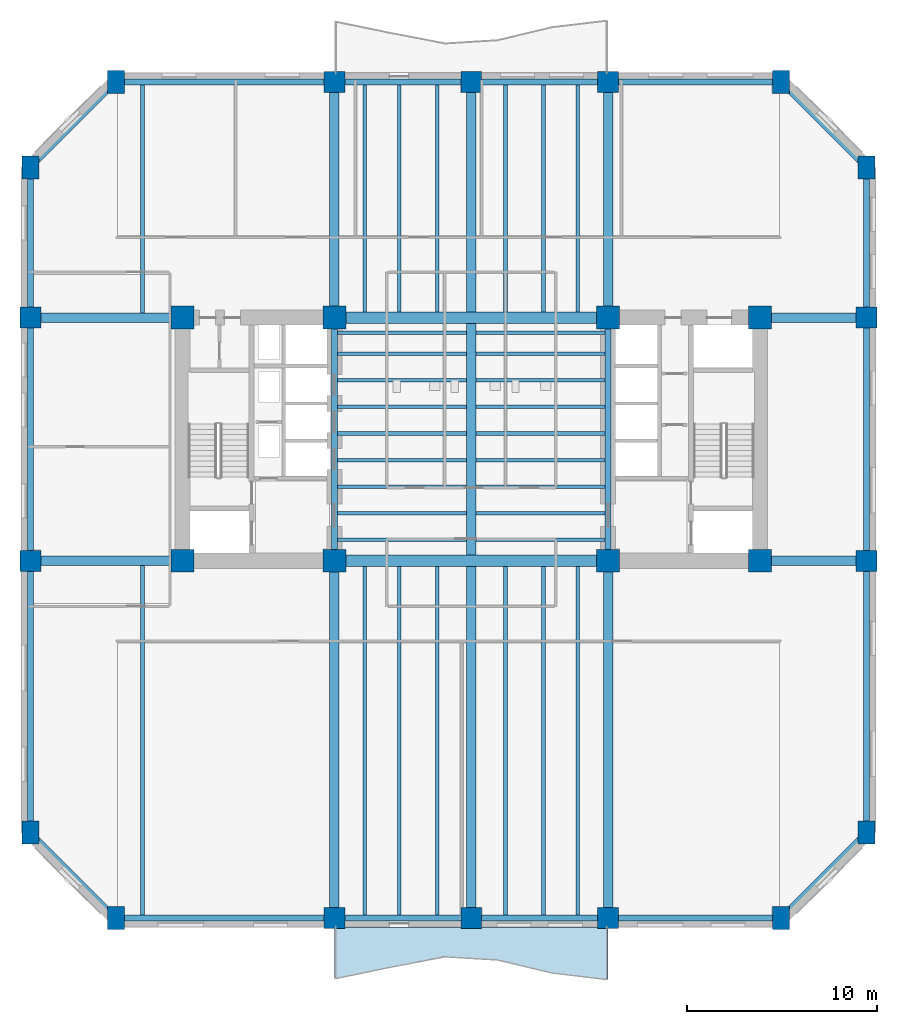
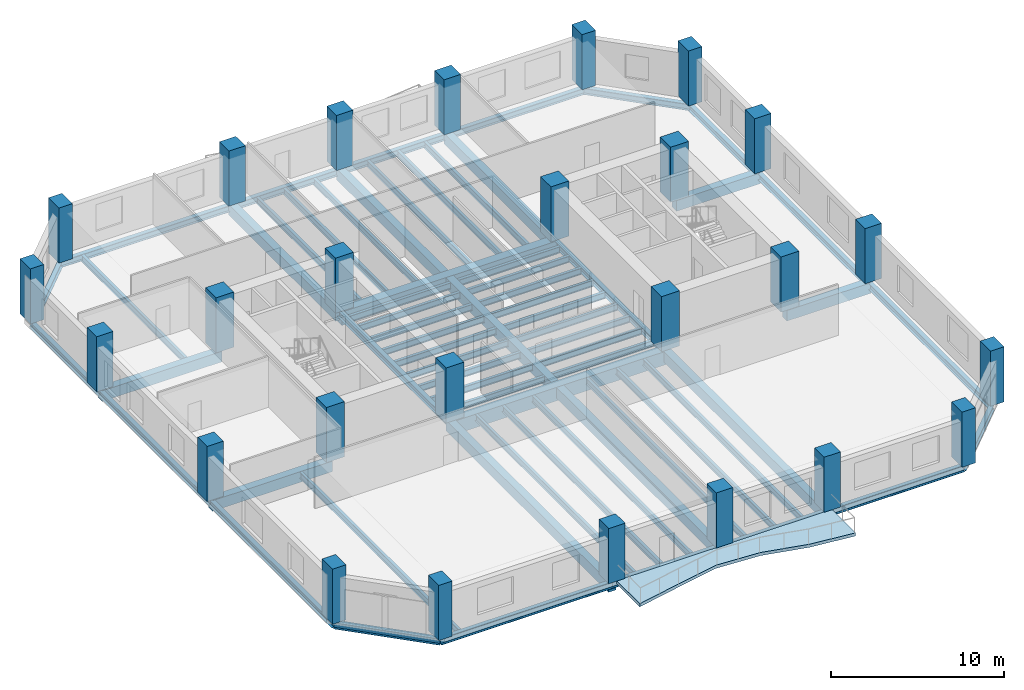
# One storey, part 1 of 10: 65 beams, 26 columns, 1 slab.
"""IFC4 building model written with IfcOpenShell, lengths in metres."""

from ifc_helpers import new_model, si_unit, direction, frame, origin, origin_2d, place, context, subcontext, project, spatial, polyline, rectangle, i_section, outline, extrude, material, layer, layer_set, material_profile, profile_set, type_object, element, save


model = new_model("IFC4")

# Units and contexts
model_context = context("Model", 3, precision=1e-05, world=origin(), true_north=direction((0.0, 1.0)))
body_context = subcontext(model_context, "Body", "Model", "MODEL_VIEW")
ifc_project = project(units=[si_unit("LENGTHUNIT", "METRE"), si_unit("AREAUNIT", "SQUARE_METRE"), si_unit("VOLUMEUNIT", "CUBIC_METRE"), si_unit("PLANEANGLEUNIT", "RADIAN"), si_unit("MASSUNIT", "GRAM", prefix="KILO")], contexts=[model_context])

# Site, building, storey
site_placement = place(None, origin())
site = spatial("IfcSite", under=ifc_project, at=site_placement, CompositionType="ELEMENT")
building_placement = place(site_placement, origin())
building = spatial("IfcBuilding", under=site, at=building_placement, Name="Kranthara Brick Stack", CompositionType="ELEMENT")
storey_placement = place(building_placement, frame((0.0, 0.0, 32.10009765625)))
storey = spatial("IfcBuildingStorey", under=building, at=storey_placement, Name="L07", CompositionType="ELEMENT", Elevation=32.10009765625)

# Columns
ifc_material_1 = material(Name="Concrete C70/85", Category="concrete")
ifc_material_profile_1 = material_profile(ifc_material_1, rectangle(XDim=0.89990234375, YDim=1.199951171875, at=origin_2d()), Name="RC 900x1200")
ifc_profile_set_1 = profile_set([ifc_material_profile_1], Name="Concrete C70/85")
column_type_1 = type_object("IfcColumnType", Name="COL-CHAM-900x1200", PredefinedType="COLUMN", material=ifc_profile_set_1)
for number, where, z_axis, x_axis, name in (
    (1, (9.300048828125, 2.0, 0.0), (0.0, 0.0, 1.0), (1.0, 0.0, 0.0), "L07 Column 09"),
    (2, (9.300048828125, 46.0, 0.0), (0.0, 0.0, 1.0), (1.0, 0.0, 0.0), "L07 Column 10"),
    (3, (44.300048828125, 2.0, 0.0), (0.0, 0.0, 1.0), (1.0, 0.0, 0.0), "L07 Column 17"),
    (4, (44.300048828125, 46.0, 0.0), (0.0, 0.0, 1.0), (1.0, 0.0, 0.0), "L07 Column 18"),
    (5, (4.800048828125, 6.5, 0.0), (0.0, 0.0, 1.0), (1.0, 0.0, 0.0), "L07 Column 19"),
    (6, (48.800048828125, 6.5, 0.0), (0.0, 0.0, 1.0), (1.0, 0.0, 0.0), "L07 Column 20"),
    (7, (4.800048828125, 41.5, 0.0), (0.0, 0.0, 1.0), (1.0, 0.0, 0.0), "L07 Column 25"),
    (8, (48.800048828125, 41.5, 0.0), (0.0, 0.0, 1.0), (1.0, 0.0, 0.0), "L07 Column 26"),
):
    element("IfcColumn", number, at=place(storey_placement, frame(where, z_axis=z_axis, x_axis=x_axis)), inside=storey, type_object=column_type_1, Name=name, PredefinedType="COLUMN", context=body_context, shape_type="SweptSolid", body=[
        extrude(rectangle(XDim=0.89990234375, YDim=1.199951171875, at=origin_2d()), origin(), (0.0, 0.0, 1.0), 3.89990234375),
    ])
ifc_material_2 = material(Name="Concrete C70/85", Category="concrete")
ifc_material_profile_2 = material_profile(ifc_material_2, rectangle(XDim=1.199951171875, YDim=1.199951171875, at=origin_2d()), Name="RC 1200x1200")
ifc_profile_set_2 = profile_set([ifc_material_profile_2], Name="Concrete C70/85")
column_type_2 = type_object("IfcColumnType", Name="COL-CORE-1200", PredefinedType="COLUMN", material=ifc_profile_set_2)
for number, where, z_axis, x_axis, name in (
    (9, (12.800048828125, 20.800048828125, 0.0), (0.0, 0.0, 1.0), (1.0, 0.0, 0.0), "L07 Column 01"),
    (10, (20.800048828125, 20.800048828125, 0.0), (0.0, 0.0, 1.0), (1.0, 0.0, 0.0), "L07 Column 02"),
    (11, (12.800048828125, 33.60009765625, 0.0), (0.0, 0.0, 1.0), (1.0, 0.0, 0.0), "L07 Column 03"),
    (12, (20.800048828125, 33.60009765625, 0.0), (0.0, 0.0, 1.0), (1.0, 0.0, 0.0), "L07 Column 04"),
    (13, (35.199951171875, 20.800048828125, 0.0), (0.0, 0.0, 1.0), (1.0, 0.0, 0.0), "L07 Column 05"),
    (14, (43.199951171875, 20.800048828125, 0.0), (0.0, 0.0, 1.0), (1.0, 0.0, 0.0), "L07 Column 06"),
    (15, (35.199951171875, 33.60009765625, 0.0), (0.0, 0.0, 1.0), (1.0, 0.0, 0.0), "L07 Column 07"),
    (16, (43.199951171875, 33.60009765625, 0.0), (0.0, 0.0, 1.0), (1.0, 0.0, 0.0), "L07 Column 08"),
):
    element("IfcColumn", number, at=place(storey_placement, frame(where, z_axis=z_axis, x_axis=x_axis)), inside=storey, type_object=column_type_2, Name=name, PredefinedType="COLUMN", context=body_context, shape_type="SweptSolid", body=[
        extrude(rectangle(XDim=1.199951171875, YDim=1.199951171875, at=origin_2d()), origin(), (0.0, 0.0, 1.0), 3.89990234375),
    ])
ifc_material_3 = material(Name="Concrete C70/85", Category="concrete")
ifc_material_profile_3 = material_profile(ifc_material_3, rectangle(XDim=1.10009765625, YDim=1.10009765625, at=origin_2d()), Name="RC 1100x1100")
ifc_profile_set_3 = profile_set([ifc_material_profile_3], Name="Concrete C70/85")
column_type_3 = type_object("IfcColumnType", Name="COL-PER-1100", PredefinedType="COLUMN", material=ifc_profile_set_3)
for number, where, z_axis, x_axis, name in (
    (17, (20.800048828125, 2.0, 0.0), (0.0, 0.0, 1.0), (1.0, 0.0, 0.0), "L07 Column 11"),
    (18, (20.800048828125, 46.0, 0.0), (0.0, 0.0, 1.0), (1.0, 0.0, 0.0), "L07 Column 12"),
    (19, (28.0, 2.0, 0.0), (0.0, 0.0, 1.0), (1.0, 0.0, 0.0), "L07 Column 13"),
    (20, (28.0, 46.0, 0.0), (0.0, 0.0, 1.0), (1.0, 0.0, 0.0), "L07 Column 14"),
    (21, (35.199951171875, 2.0, 0.0), (0.0, 0.0, 1.0), (1.0, 0.0, 0.0), "L07 Column 15"),
    (22, (35.199951171875, 46.0, 0.0), (0.0, 0.0, 1.0), (1.0, 0.0, 0.0), "L07 Column 16"),
    (23, (4.800048828125, 20.800048828125, 0.0), (0.0, 0.0, 1.0), (1.0, 0.0, 0.0), "L07 Column 21"),
    (24, (48.800048828125, 20.800048828125, 0.0), (0.0, 0.0, 1.0), (1.0, 0.0, 0.0), "L07 Column 22"),
    (25, (4.800048828125, 33.60009765625, 0.0), (0.0, 0.0, 1.0), (1.0, 0.0, 0.0), "L07 Column 23"),
    (26, (48.800048828125, 33.60009765625, 0.0), (0.0, 0.0, 1.0), (1.0, 0.0, 0.0), "L07 Column 24"),
):
    element("IfcColumn", number, at=place(storey_placement, frame(where, z_axis=z_axis, x_axis=x_axis)), inside=storey, type_object=column_type_3, Name=name, PredefinedType="COLUMN", context=body_context, shape_type="SweptSolid", body=[
        extrude(rectangle(XDim=1.10009765625, YDim=1.10009765625, at=origin_2d()), origin(), (0.0, 0.0, 1.0), 3.89990234375),
    ])

# Beams
ifc_material_4 = material(Name="Concrete C60/75", Category="concrete")
ifc_material_profile_4 = material_profile(ifc_material_4, rectangle(XDim=0.60009765625, YDim=0.949951171875, at=origin_2d()), Name="RC 600x950")
ifc_profile_set_4 = profile_set([ifc_material_profile_4], Name="Concrete C60/75")
beam_type_1 = type_object("IfcBeamType", Name="BM-CPL-RC950", PredefinedType="LINTEL", material=ifc_profile_set_4)
for number, where, z_axis, x_axis, name in (
    (27, (20.800048828125, 20.800048828125, -0.775146484375), (1.0, 0.0, 0.0), (0.0, 1.0, 0.0), "L07 Core Coupling Beam 001"),
    (28, (20.800048828125, 33.60009765625, -0.775146484375), (1.0, 0.0, 0.0), (0.0, 1.0, 0.0), "L07 Core Coupling Beam 002"),
):
    element("IfcBeam", number, at=place(storey_placement, frame(where, z_axis=z_axis, x_axis=x_axis)), inside=storey, type_object=beam_type_1, Name=name, PredefinedType="LINTEL", context=body_context, shape_type="SweptSolid", body=[
        extrude(rectangle(XDim=0.60009765625, YDim=0.949951171875, at=origin_2d()), origin(), (0.0, 0.0, 1.0), 14.39990234375),
    ])
ifc_material_5 = material(Name="Post-tensioned concrete C45/55", Category="concrete")
ifc_material_profile_5 = material_profile(ifc_material_5, rectangle(XDim=0.5, YDim=0.75, at=origin_2d()), Name="PT 500x750")
ifc_profile_set_5 = profile_set([ifc_material_profile_5], Name="Post-tensioned concrete C45/55")
beam_type_2 = type_object("IfcBeamType", Name="BM-FLR-PT750", PredefinedType="BEAM", material=ifc_profile_set_5)
beam_1_placement = place(storey_placement, frame((20.800048828125, 2.0, -0.675048828125), z_axis=(0.0, 1.0, 0.0), x_axis=(-1.0, 0.0, 0.0)))
element("IfcBeam", 29, at=beam_1_placement, inside=storey, type_object=beam_type_2, Name="L07 Primary Grid Girder 023", PredefinedType="BEAM", context=body_context, shape_type="SweptSolid", body=[
    extrude(rectangle(XDim=0.5, YDim=0.75, at=origin_2d()), origin(), (0.0, 0.0, 1.0), 18.800048828125),
])
beam_2_placement = place(storey_placement, frame((20.800048828125, 33.60009765625, -0.675048828125), z_axis=(0.0, 1.0, 0.0), x_axis=(-1.0, 0.0, 0.0)))
element("IfcBeam", 30, at=beam_2_placement, inside=storey, type_object=beam_type_2, Name="L07 Primary Grid Girder 024", PredefinedType="BEAM", context=body_context, shape_type="SweptSolid", body=[
    extrude(rectangle(XDim=0.5, YDim=0.75, at=origin_2d()), origin(), (0.0, 0.0, 1.0), 12.39990234375),
])
beam_3_placement = place(storey_placement, frame((28.0, 2.0, -0.675048828125), z_axis=(0.0, 1.0, 0.0), x_axis=(-1.0, 0.0, 0.0)))
element("IfcBeam", 31, at=beam_3_placement, inside=storey, type_object=beam_type_2, Name="L07 Primary Grid Girder 025", PredefinedType="BEAM", context=body_context, shape_type="SweptSolid", body=[
    extrude(rectangle(XDim=0.5, YDim=0.75, at=origin_2d()), origin(), (0.0, 0.0, 1.0), 18.5),
])
beam_4_placement = place(storey_placement, frame((28.0, 21.10009765625, -0.675048828125), z_axis=(0.0, 1.0, 0.0), x_axis=(-1.0, 0.0, 0.0)))
element("IfcBeam", 32, at=beam_4_placement, inside=storey, type_object=beam_type_2, Name="L07 Central Spine Girder 026", PredefinedType="BEAM", context=body_context, shape_type="SweptSolid", body=[
    extrude(rectangle(XDim=0.5, YDim=0.75, at=origin_2d()), origin(), (0.0, 0.0, 1.0), 12.199951171875),
])
beam_5_placement = place(storey_placement, frame((28.0, 33.89990234375, -0.675048828125), z_axis=(0.0, 1.0, 0.0), x_axis=(-1.0, 0.0, 0.0)))
element("IfcBeam", 33, at=beam_5_placement, inside=storey, type_object=beam_type_2, Name="L07 Primary Grid Girder 027", PredefinedType="BEAM", context=body_context, shape_type="SweptSolid", body=[
    extrude(rectangle(XDim=0.5, YDim=0.75, at=origin_2d()), origin(), (0.0, 0.0, 1.0), 12.10009765625),
])
beam_6_placement = place(storey_placement, frame((35.199951171875, 2.0, -0.675048828125), z_axis=(0.0, 1.0, 0.0), x_axis=(-1.0, 0.0, 0.0)))
element("IfcBeam", 34, at=beam_6_placement, inside=storey, type_object=beam_type_2, Name="L07 Primary Grid Girder 028", PredefinedType="BEAM", context=body_context, shape_type="SweptSolid", body=[
    extrude(rectangle(XDim=0.5, YDim=0.75, at=origin_2d()), origin(), (0.0, 0.0, 1.0), 18.800048828125),
])
beam_7_placement = place(storey_placement, frame((35.199951171875, 33.60009765625, -0.675048828125), z_axis=(0.0, 1.0, 0.0), x_axis=(-1.0, 0.0, 0.0)))
element("IfcBeam", 35, at=beam_7_placement, inside=storey, type_object=beam_type_2, Name="L07 Primary Grid Girder 029", PredefinedType="BEAM", context=body_context, shape_type="SweptSolid", body=[
    extrude(rectangle(XDim=0.5, YDim=0.75, at=origin_2d()), origin(), (0.0, 0.0, 1.0), 12.39990234375),
])
beam_8_placement = place(storey_placement, frame((4.800048828125, 20.800048828125, -0.675048828125), z_axis=(1.0, 0.0, 0.0), x_axis=(0.0, 1.0, 0.0)))
element("IfcBeam", 36, at=beam_8_placement, inside=storey, type_object=beam_type_2, Name="L07 Primary Grid Girder 030", PredefinedType="BEAM", context=body_context, shape_type="SweptSolid", body=[
    extrude(rectangle(XDim=0.5, YDim=0.75, at=origin_2d()), origin(), (0.0, 0.0, 1.0), 8.0),
])
beam_9_placement = place(storey_placement, frame((43.199951171875, 20.800048828125, -0.675048828125), z_axis=(1.0, 0.0, 0.0), x_axis=(0.0, 1.0, 0.0)))
element("IfcBeam", 37, at=beam_9_placement, inside=storey, type_object=beam_type_2, Name="L07 Primary Grid Girder 031", PredefinedType="BEAM", context=body_context, shape_type="SweptSolid", body=[
    extrude(rectangle(XDim=0.5, YDim=0.75, at=origin_2d()), origin(), (0.0, 0.0, 1.0), 5.60009765625),
])
beam_10_placement = place(storey_placement, frame((4.800048828125, 33.60009765625, -0.675048828125), z_axis=(1.0, 0.0, 0.0), x_axis=(0.0, 1.0, 0.0)))
element("IfcBeam", 38, at=beam_10_placement, inside=storey, type_object=beam_type_2, Name="L07 Primary Grid Girder 032", PredefinedType="BEAM", context=body_context, shape_type="SweptSolid", body=[
    extrude(rectangle(XDim=0.5, YDim=0.75, at=origin_2d()), origin(), (0.0, 0.0, 1.0), 8.0),
])
beam_11_placement = place(storey_placement, frame((43.199951171875, 33.60009765625, -0.675048828125), z_axis=(1.0, 0.0, 0.0), x_axis=(0.0, 1.0, 0.0)))
element("IfcBeam", 39, at=beam_11_placement, inside=storey, type_object=beam_type_2, Name="L07 Primary Grid Girder 033", PredefinedType="BEAM", context=body_context, shape_type="SweptSolid", body=[
    extrude(rectangle(XDim=0.5, YDim=0.75, at=origin_2d()), origin(), (0.0, 0.0, 1.0), 5.60009765625),
])
ifc_material_6 = material(Name="Steel S355", Category="steel")
ifc_material_profile_6 = material_profile(ifc_material_6, i_section(OverallWidth=0.18994140625, OverallDepth=0.449951171875, WebThickness=0.009521484375, FlangeThickness=0.0146484375, at=origin_2d()), Name="IPE 450")
ifc_profile_set_6 = profile_set([ifc_material_profile_6], Name="Steel S355")
beam_type_3 = type_object("IfcBeamType", Name="BM-JST-IPE450", PredefinedType="JOIST", material=ifc_profile_set_6)
for number, where, z_axis, x_axis, name in (
    (40, (20.949951171875, 21.89990234375, -0.525146484375), (1.0, 0.0, 0.0), (0.0, 1.0, 0.0), "L07 Central Floor Joist 034"),
    (41, (28.25, 21.89990234375, -0.525146484375), (1.0, 0.0, 0.0), (0.0, 1.0, 0.0), "L07 Central Floor Joist 035"),
    (42, (20.949951171875, 23.300048828125, -0.525146484375), (1.0, 0.0, 0.0), (0.0, 1.0, 0.0), "L07 Central Floor Joist 036"),
    (43, (28.25, 23.300048828125, -0.525146484375), (1.0, 0.0, 0.0), (0.0, 1.0, 0.0), "L07 Central Floor Joist 037"),
    (44, (20.949951171875, 24.699951171875, -0.525146484375), (1.0, 0.0, 0.0), (0.0, 1.0, 0.0), "L07 Central Floor Joist 038"),
    (45, (28.25, 24.699951171875, -0.525146484375), (1.0, 0.0, 0.0), (0.0, 1.0, 0.0), "L07 Central Floor Joist 039"),
    (46, (20.949951171875, 26.10009765625, -0.525146484375), (1.0, 0.0, 0.0), (0.0, 1.0, 0.0), "L07 Central Floor Joist 040"),
    (47, (28.25, 26.10009765625, -0.525146484375), (1.0, 0.0, 0.0), (0.0, 1.0, 0.0), "L07 Central Floor Joist 041"),
    (48, (20.949951171875, 27.5, -0.525146484375), (1.0, 0.0, 0.0), (0.0, 1.0, 0.0), "L07 Central Floor Joist 042"),
    (49, (28.25, 27.5, -0.525146484375), (1.0, 0.0, 0.0), (0.0, 1.0, 0.0), "L07 Central Floor Joist 043"),
    (50, (20.949951171875, 28.89990234375, -0.525146484375), (1.0, 0.0, 0.0), (0.0, 1.0, 0.0), "L07 Central Floor Joist 044"),
    (51, (28.25, 28.89990234375, -0.525146484375), (1.0, 0.0, 0.0), (0.0, 1.0, 0.0), "L07 Central Floor Joist 045"),
    (52, (20.949951171875, 30.300048828125, -0.525146484375), (1.0, 0.0, 0.0), (0.0, 1.0, 0.0), "L07 Central Floor Joist 046"),
    (53, (28.25, 30.300048828125, -0.525146484375), (1.0, 0.0, 0.0), (0.0, 1.0, 0.0), "L07 Central Floor Joist 047"),
    (54, (20.949951171875, 31.699951171875, -0.525146484375), (1.0, 0.0, 0.0), (0.0, 1.0, 0.0), "L07 Central Floor Joist 048"),
    (55, (28.25, 31.699951171875, -0.525146484375), (1.0, 0.0, 0.0), (0.0, 1.0, 0.0), "L07 Central Floor Joist 049"),
    (56, (20.949951171875, 32.800048828125, -0.525146484375), (1.0, 0.0, 0.0), (0.0, 1.0, 0.0), "L07 Central Floor Joist 050"),
    (57, (28.25, 32.800048828125, -0.525146484375), (1.0, 0.0, 0.0), (0.0, 1.0, 0.0), "L07 Central Floor Joist 051"),
):
    element("IfcBeam", number, at=place(storey_placement, frame(where, z_axis=z_axis, x_axis=x_axis)), inside=storey, type_object=beam_type_3, Name=name, PredefinedType="JOIST", context=body_context, shape_type="SweptSolid", body=[
        extrude(i_section(OverallWidth=0.18994140625, OverallDepth=0.449951171875, WebThickness=0.009521484375, FlangeThickness=0.0146484375, at=origin_2d()), origin(), (0.0, 0.0, 1.0), 6.800048828125),
    ])
beam_12_placement = place(storey_placement, frame((10.699951171875, 2.14990234375, -0.525146484375), z_axis=(0.0, 1.0, 0.0), x_axis=(-1.0, 0.0, 0.0)))
element("IfcBeam", 58, at=beam_12_placement, inside=storey, type_object=beam_type_3, Name="L07 South Wing Floor Joist 052", PredefinedType="JOIST", context=body_context, shape_type="SweptSolid", body=[
    extrude(i_section(OverallWidth=0.18994140625, OverallDepth=0.449951171875, WebThickness=0.009521484375, FlangeThickness=0.0146484375, at=origin_2d()), origin(), (0.0, 0.0, 1.0), 18.400146484375),
])
beam_13_placement = place(storey_placement, frame((10.699951171875, 33.85009765625, -0.525146484375), z_axis=(0.0, 1.0, 0.0), x_axis=(-1.0, 0.0, 0.0)))
element("IfcBeam", 59, at=beam_13_placement, inside=storey, type_object=beam_type_3, Name="L07 North Wing Floor Joist 053", PredefinedType="JOIST", context=body_context, shape_type="SweptSolid", body=[
    extrude(i_section(OverallWidth=0.18994140625, OverallDepth=0.449951171875, WebThickness=0.009521484375, FlangeThickness=0.0146484375, at=origin_2d()), origin(), (0.0, 0.0, 1.0), 12.0),
])
beam_14_placement = place(storey_placement, frame((22.39990234375, 2.14990234375, -0.525146484375), z_axis=(0.0, 1.0, 0.0), x_axis=(-1.0, 0.0, 0.0)))
element("IfcBeam", 60, at=beam_14_placement, inside=storey, type_object=beam_type_3, Name="L07 South Wing Floor Joist 054", PredefinedType="JOIST", context=body_context, shape_type="SweptSolid", body=[
    extrude(i_section(OverallWidth=0.18994140625, OverallDepth=0.449951171875, WebThickness=0.009521484375, FlangeThickness=0.0146484375, at=origin_2d()), origin(), (0.0, 0.0, 1.0), 18.35009765625),
])
beam_15_placement = place(storey_placement, frame((22.39990234375, 33.89990234375, -0.525146484375), z_axis=(0.0, 1.0, 0.0), x_axis=(-1.0, 0.0, 0.0)))
element("IfcBeam", 61, at=beam_15_placement, inside=storey, type_object=beam_type_3, Name="L07 North Wing Floor Joist 055", PredefinedType="JOIST", context=body_context, shape_type="SweptSolid", body=[
    extrude(i_section(OverallWidth=0.18994140625, OverallDepth=0.449951171875, WebThickness=0.009521484375, FlangeThickness=0.0146484375, at=origin_2d()), origin(), (0.0, 0.0, 1.0), 11.9501953125),
])
beam_16_placement = place(storey_placement, frame((24.199951171875, 2.14990234375, -0.525146484375), z_axis=(0.0, 1.0, 0.0), x_axis=(-1.0, 0.0, 0.0)))
element("IfcBeam", 62, at=beam_16_placement, inside=storey, type_object=beam_type_3, Name="L07 South Wing Floor Joist 056", PredefinedType="JOIST", context=body_context, shape_type="SweptSolid", body=[
    extrude(i_section(OverallWidth=0.18994140625, OverallDepth=0.449951171875, WebThickness=0.009521484375, FlangeThickness=0.0146484375, at=origin_2d()), origin(), (0.0, 0.0, 1.0), 18.35009765625),
])
beam_17_placement = place(storey_placement, frame((24.199951171875, 33.89990234375, -0.525146484375), z_axis=(0.0, 1.0, 0.0), x_axis=(-1.0, 0.0, 0.0)))
element("IfcBeam", 63, at=beam_17_placement, inside=storey, type_object=beam_type_3, Name="L07 North Wing Floor Joist 057", PredefinedType="JOIST", context=body_context, shape_type="SweptSolid", body=[
    extrude(i_section(OverallWidth=0.18994140625, OverallDepth=0.449951171875, WebThickness=0.009521484375, FlangeThickness=0.0146484375, at=origin_2d()), origin(), (0.0, 0.0, 1.0), 11.9501953125),
])
beam_18_placement = place(storey_placement, frame((26.199951171875, 2.14990234375, -0.525146484375), z_axis=(0.0, 1.0, 0.0), x_axis=(-1.0, 0.0, 0.0)))
element("IfcBeam", 64, at=beam_18_placement, inside=storey, type_object=beam_type_3, Name="L07 South Wing Floor Joist 058", PredefinedType="JOIST", context=body_context, shape_type="SweptSolid", body=[
    extrude(i_section(OverallWidth=0.18994140625, OverallDepth=0.449951171875, WebThickness=0.009521484375, FlangeThickness=0.0146484375, at=origin_2d()), origin(), (0.0, 0.0, 1.0), 18.35009765625),
])
beam_19_placement = place(storey_placement, frame((26.199951171875, 33.89990234375, -0.525146484375), z_axis=(0.0, 1.0, 0.0), x_axis=(-1.0, 0.0, 0.0)))
element("IfcBeam", 65, at=beam_19_placement, inside=storey, type_object=beam_type_3, Name="L07 North Wing Floor Joist 059", PredefinedType="JOIST", context=body_context, shape_type="SweptSolid", body=[
    extrude(i_section(OverallWidth=0.18994140625, OverallDepth=0.449951171875, WebThickness=0.009521484375, FlangeThickness=0.0146484375, at=origin_2d()), origin(), (0.0, 0.0, 1.0), 11.9501953125),
])
beam_20_placement = place(storey_placement, frame((29.800048828125, 2.14990234375, -0.525146484375), z_axis=(0.0, 1.0, 0.0), x_axis=(-1.0, 0.0, 0.0)))
element("IfcBeam", 66, at=beam_20_placement, inside=storey, type_object=beam_type_3, Name="L07 South Wing Floor Joist 060", PredefinedType="JOIST", context=body_context, shape_type="SweptSolid", body=[
    extrude(i_section(OverallWidth=0.18994140625, OverallDepth=0.449951171875, WebThickness=0.009521484375, FlangeThickness=0.0146484375, at=origin_2d()), origin(), (0.0, 0.0, 1.0), 18.35009765625),
])
beam_21_placement = place(storey_placement, frame((29.800048828125, 33.89990234375, -0.525146484375), z_axis=(0.0, 1.0, 0.0), x_axis=(-1.0, 0.0, 0.0)))
element("IfcBeam", 67, at=beam_21_placement, inside=storey, type_object=beam_type_3, Name="L07 North Wing Floor Joist 061", PredefinedType="JOIST", context=body_context, shape_type="SweptSolid", body=[
    extrude(i_section(OverallWidth=0.18994140625, OverallDepth=0.449951171875, WebThickness=0.009521484375, FlangeThickness=0.0146484375, at=origin_2d()), origin(), (0.0, 0.0, 1.0), 11.9501953125),
])
beam_22_placement = place(storey_placement, frame((31.800048828125, 2.14990234375, -0.525146484375), z_axis=(0.0, 1.0, 0.0), x_axis=(-1.0, 0.0, 0.0)))
element("IfcBeam", 68, at=beam_22_placement, inside=storey, type_object=beam_type_3, Name="L07 South Wing Floor Joist 062", PredefinedType="JOIST", context=body_context, shape_type="SweptSolid", body=[
    extrude(i_section(OverallWidth=0.18994140625, OverallDepth=0.449951171875, WebThickness=0.009521484375, FlangeThickness=0.0146484375, at=origin_2d()), origin(), (0.0, 0.0, 1.0), 18.35009765625),
])
beam_23_placement = place(storey_placement, frame((31.800048828125, 33.89990234375, -0.525146484375), z_axis=(0.0, 1.0, 0.0), x_axis=(-1.0, 0.0, 0.0)))
element("IfcBeam", 69, at=beam_23_placement, inside=storey, type_object=beam_type_3, Name="L07 North Wing Floor Joist 063", PredefinedType="JOIST", context=body_context, shape_type="SweptSolid", body=[
    extrude(i_section(OverallWidth=0.18994140625, OverallDepth=0.449951171875, WebThickness=0.009521484375, FlangeThickness=0.0146484375, at=origin_2d()), origin(), (0.0, 0.0, 1.0), 11.9501953125),
])
beam_24_placement = place(storey_placement, frame((33.60009765625, 2.14990234375, -0.525146484375), z_axis=(0.0, 1.0, 0.0), x_axis=(-1.0, 0.0, 0.0)))
element("IfcBeam", 70, at=beam_24_placement, inside=storey, type_object=beam_type_3, Name="L07 South Wing Floor Joist 064", PredefinedType="JOIST", context=body_context, shape_type="SweptSolid", body=[
    extrude(i_section(OverallWidth=0.18994140625, OverallDepth=0.449951171875, WebThickness=0.009521484375, FlangeThickness=0.0146484375, at=origin_2d()), origin(), (0.0, 0.0, 1.0), 18.35009765625),
])
beam_25_placement = place(storey_placement, frame((33.60009765625, 33.89990234375, -0.525146484375), z_axis=(0.0, 1.0, 0.0), x_axis=(-1.0, 0.0, 0.0)))
element("IfcBeam", 71, at=beam_25_placement, inside=storey, type_object=beam_type_3, Name="L07 North Wing Floor Joist 065", PredefinedType="JOIST", context=body_context, shape_type="SweptSolid", body=[
    extrude(i_section(OverallWidth=0.18994140625, OverallDepth=0.449951171875, WebThickness=0.009521484375, FlangeThickness=0.0146484375, at=origin_2d()), origin(), (0.0, 0.0, 1.0), 11.9501953125),
])
ifc_material_7 = material(Name="Steel S355", Category="steel")
ifc_material_profile_7 = material_profile(ifc_material_7, i_section(OverallWidth=0.300048828125, OverallDepth=0.449951171875, WebThickness=0.013916015625, FlangeThickness=0.02587890625, at=origin_2d()), Name="HEB 450")
ifc_profile_set_7 = profile_set([ifc_material_profile_7], Name="Steel S355")
beam_type_4 = type_object("IfcBeamType", Name="BM-STL-HEB450", PredefinedType="SPANDREL", material=ifc_profile_set_7)
for number, where, z_axis, x_axis, name in (
    (72, (20.800048828125, 20.800048828125, -0.525146484375), (0.0, 1.0, 0.0), (-1.0, 0.0, 0.0), "L07 Core Edge Tie Beam 003"),
    (73, (35.199951171875, 20.800048828125, -0.525146484375), (0.0, 1.0, 0.0), (-1.0, 0.0, 0.0), "L07 Core Edge Tie Beam 004"),
):
    element("IfcBeam", number, at=place(storey_placement, frame(where, z_axis=z_axis, x_axis=x_axis)), inside=storey, type_object=beam_type_4, Name=name, PredefinedType="SPANDREL", context=body_context, shape_type="SweptSolid", body=[
        extrude(i_section(OverallWidth=0.300048828125, OverallDepth=0.449951171875, WebThickness=0.013916015625, FlangeThickness=0.02587890625, at=origin_2d()), origin(), (0.0, 0.0, 1.0), 12.800048828125),
    ])
beam_26_placement = place(storey_placement, frame((9.300048828125, 2.0, -0.525146484375), z_axis=(1.0, 0.0, 0.0), x_axis=(0.0, 1.0, 0.0)))
element("IfcBeam", 74, at=beam_26_placement, inside=storey, type_object=beam_type_4, Name="L07 Perimeter Spandrel Beam 005", PredefinedType="SPANDREL", context=body_context, shape_type="SweptSolid", body=[
    extrude(i_section(OverallWidth=0.300048828125, OverallDepth=0.449951171875, WebThickness=0.013916015625, FlangeThickness=0.02587890625, at=origin_2d()), origin(), (0.0, 0.0, 1.0), 11.5),
])
for number, where, z_axis, x_axis, name in (
    (75, (20.800048828125, 2.0, -0.525146484375), (1.0, 0.0, 0.0), (0.0, 1.0, 0.0), "L07 Perimeter Spandrel Beam 006"),
    (76, (28.0, 2.0, -0.525146484375), (1.0, 0.0, 0.0), (0.0, 1.0, 0.0), "L07 Perimeter Spandrel Beam 007"),
):
    element("IfcBeam", number, at=place(storey_placement, frame(where, z_axis=z_axis, x_axis=x_axis)), inside=storey, type_object=beam_type_4, Name=name, PredefinedType="SPANDREL", context=body_context, shape_type="SweptSolid", body=[
        extrude(i_section(OverallWidth=0.300048828125, OverallDepth=0.449951171875, WebThickness=0.013916015625, FlangeThickness=0.02587890625, at=origin_2d()), origin(), (0.0, 0.0, 1.0), 7.199951171875),
    ])
beam_27_placement = place(storey_placement, frame((35.199951171875, 2.0, -0.525146484375), z_axis=(1.0, 0.0, 0.0), x_axis=(0.0, 1.0, 0.0)))
element("IfcBeam", 77, at=beam_27_placement, inside=storey, type_object=beam_type_4, Name="L07 Perimeter Spandrel Beam 008", PredefinedType="SPANDREL", context=body_context, shape_type="SweptSolid", body=[
    extrude(i_section(OverallWidth=0.300048828125, OverallDepth=0.449951171875, WebThickness=0.013916015625, FlangeThickness=0.02587890625, at=origin_2d()), origin(), (0.0, 0.0, 1.0), 9.10009765625),
])
beam_28_placement = place(storey_placement, frame((9.300048828125, 46.0, -0.525146484375), z_axis=(1.0, 0.0, 0.0), x_axis=(0.0, 1.0, 0.0)))
element("IfcBeam", 78, at=beam_28_placement, inside=storey, type_object=beam_type_4, Name="L07 Perimeter Spandrel Beam 009", PredefinedType="SPANDREL", context=body_context, shape_type="SweptSolid", body=[
    extrude(i_section(OverallWidth=0.300048828125, OverallDepth=0.449951171875, WebThickness=0.013916015625, FlangeThickness=0.02587890625, at=origin_2d()), origin(), (0.0, 0.0, 1.0), 11.5),
])
for number, where, z_axis, x_axis, name in (
    (79, (20.800048828125, 46.0, -0.525146484375), (1.0, 0.0, 0.0), (0.0, 1.0, 0.0), "L07 Perimeter Spandrel Beam 010"),
    (80, (28.0, 46.0, -0.525146484375), (1.0, 0.0, 0.0), (0.0, 1.0, 0.0), "L07 Perimeter Spandrel Beam 011"),
):
    element("IfcBeam", number, at=place(storey_placement, frame(where, z_axis=z_axis, x_axis=x_axis)), inside=storey, type_object=beam_type_4, Name=name, PredefinedType="SPANDREL", context=body_context, shape_type="SweptSolid", body=[
        extrude(i_section(OverallWidth=0.300048828125, OverallDepth=0.449951171875, WebThickness=0.013916015625, FlangeThickness=0.02587890625, at=origin_2d()), origin(), (0.0, 0.0, 1.0), 7.199951171875),
    ])
beam_29_placement = place(storey_placement, frame((35.199951171875, 46.0, -0.525146484375), z_axis=(1.0, 0.0, 0.0), x_axis=(0.0, 1.0, 0.0)))
element("IfcBeam", 81, at=beam_29_placement, inside=storey, type_object=beam_type_4, Name="L07 Perimeter Spandrel Beam 012", PredefinedType="SPANDREL", context=body_context, shape_type="SweptSolid", body=[
    extrude(i_section(OverallWidth=0.300048828125, OverallDepth=0.449951171875, WebThickness=0.013916015625, FlangeThickness=0.02587890625, at=origin_2d()), origin(), (0.0, 0.0, 1.0), 9.10009765625),
])
beam_30_placement = place(storey_placement, frame((4.800048828125, 6.5, -0.525146484375), z_axis=(0.0, 1.0, 0.0), x_axis=(-1.0, 0.0, 0.0)))
element("IfcBeam", 82, at=beam_30_placement, inside=storey, type_object=beam_type_4, Name="L07 Perimeter Spandrel Beam 013", PredefinedType="SPANDREL", context=body_context, shape_type="SweptSolid", body=[
    extrude(i_section(OverallWidth=0.300048828125, OverallDepth=0.449951171875, WebThickness=0.013916015625, FlangeThickness=0.02587890625, at=origin_2d()), origin(), (0.0, 0.0, 1.0), 14.300048828125),
])
beam_31_placement = place(storey_placement, frame((4.800048828125, 20.800048828125, -0.525146484375), z_axis=(0.0, 1.0, 0.0), x_axis=(-1.0, 0.0, 0.0)))
element("IfcBeam", 83, at=beam_31_placement, inside=storey, type_object=beam_type_4, Name="L07 Perimeter Spandrel Beam 014", PredefinedType="SPANDREL", context=body_context, shape_type="SweptSolid", body=[
    extrude(i_section(OverallWidth=0.300048828125, OverallDepth=0.449951171875, WebThickness=0.013916015625, FlangeThickness=0.02587890625, at=origin_2d()), origin(), (0.0, 0.0, 1.0), 12.800048828125),
])
beam_32_placement = place(storey_placement, frame((4.800048828125, 33.60009765625, -0.525146484375), z_axis=(0.0, 1.0, 0.0), x_axis=(-1.0, 0.0, 0.0)))
element("IfcBeam", 84, at=beam_32_placement, inside=storey, type_object=beam_type_4, Name="L07 Perimeter Spandrel Beam 015", PredefinedType="SPANDREL", context=body_context, shape_type="SweptSolid", body=[
    extrude(i_section(OverallWidth=0.300048828125, OverallDepth=0.449951171875, WebThickness=0.013916015625, FlangeThickness=0.02587890625, at=origin_2d()), origin(), (0.0, 0.0, 1.0), 7.89990234375),
])
beam_33_placement = place(storey_placement, frame((48.800048828125, 6.5, -0.525146484375), z_axis=(0.0, 1.0, 0.0), x_axis=(-1.0, 0.0, 0.0)))
element("IfcBeam", 85, at=beam_33_placement, inside=storey, type_object=beam_type_4, Name="L07 Perimeter Spandrel Beam 016", PredefinedType="SPANDREL", context=body_context, shape_type="SweptSolid", body=[
    extrude(i_section(OverallWidth=0.300048828125, OverallDepth=0.449951171875, WebThickness=0.013916015625, FlangeThickness=0.02587890625, at=origin_2d()), origin(), (0.0, 0.0, 1.0), 14.300048828125),
])
beam_34_placement = place(storey_placement, frame((48.800048828125, 20.800048828125, -0.525146484375), z_axis=(0.0, 1.0, 0.0), x_axis=(-1.0, 0.0, 0.0)))
element("IfcBeam", 86, at=beam_34_placement, inside=storey, type_object=beam_type_4, Name="L07 Perimeter Spandrel Beam 017", PredefinedType="SPANDREL", context=body_context, shape_type="SweptSolid", body=[
    extrude(i_section(OverallWidth=0.300048828125, OverallDepth=0.449951171875, WebThickness=0.013916015625, FlangeThickness=0.02587890625, at=origin_2d()), origin(), (0.0, 0.0, 1.0), 12.800048828125),
])
beam_35_placement = place(storey_placement, frame((48.800048828125, 33.60009765625, -0.525146484375), z_axis=(0.0, 1.0, 0.0), x_axis=(-1.0, 0.0, 0.0)))
element("IfcBeam", 87, at=beam_35_placement, inside=storey, type_object=beam_type_4, Name="L07 Perimeter Spandrel Beam 018", PredefinedType="SPANDREL", context=body_context, shape_type="SweptSolid", body=[
    extrude(i_section(OverallWidth=0.300048828125, OverallDepth=0.449951171875, WebThickness=0.013916015625, FlangeThickness=0.02587890625, at=origin_2d()), origin(), (0.0, 0.0, 1.0), 7.89990234375),
])
for number, where, z_axis, x_axis, name in (
    (88, (9.300048828125, 2.0, -0.525146484375), (-0.707106781187, 0.707106781187, 0.0), (-0.707106781187, -0.707106781187, 0.0), "L07 Chamfer Corner Spandrel 019"),
    (89, (44.300048828125, 2.0, -0.525146484375), (0.707106781187, 0.707106781187, 0.0), (-0.707106781187, 0.707106781187, 0.0), "L07 Chamfer Corner Spandrel 020"),
    (90, (9.300048828125, 46.0, -0.525146484375), (-0.707106781187, -0.707106781187, 0.0), (0.707106781187, -0.707106781187, 0.0), "L07 Chamfer Corner Spandrel 021"),
    (91, (44.300048828125, 46.0, -0.525146484375), (0.707106781187, -0.707106781187, 0.0), (0.707106781187, 0.707106781187, 0.0), "L07 Chamfer Corner Spandrel 022"),
):
    element("IfcBeam", number, at=place(storey_placement, frame(where, z_axis=z_axis, x_axis=x_axis)), inside=storey, type_object=beam_type_4, Name=name, PredefinedType="SPANDREL", context=body_context, shape_type="SweptSolid", body=[
        extrude(i_section(OverallWidth=0.300048828125, OverallDepth=0.449951171875, WebThickness=0.013916015625, FlangeThickness=0.02587890625, at=origin_2d()), origin(), (0.0, 0.0, 1.0), 6.364013671875),
    ])

# Slab
ifc_material_8 = material(Name="Concrete C45/55", Category="concrete")
ifc_layer = layer(ifc_material_8, 0.219970703125)
ifc_layer_set = layer_set([ifc_layer], Name="Concrete C45/55")
slab_type = type_object("IfcSlabType", Name="SLB-BALC-220", PredefinedType="FLOOR", material=ifc_layer_set)
slab_placement = place(storey_placement, frame((0.0, 0.0, -0.22021484375)))
element("IfcSlab", 92, at=slab_placement, inside=storey, type_object=slab_type, Name="L07 South Rippling Balcony Slab", PredefinedType="FLOOR", context=body_context, shape_type="SweptSolid", body=[
    extrude(outline(polyline([(20.800048828125, 1.5), (35.199951171875, 1.5), (35.199951171875, -1.24755859375), (32.320068359375, -0.9072265625), (29.43994140625, -0.2119140625), (26.56005859375, -0.0361328125), (23.679931640625, -0.600830078125), (20.800048828125, -1.196044921875), (20.800048828125, 1.5)])), origin(), (0.0, 0.0, 1.0), 0.22021484375),
])

save(model, "model.ifc")
